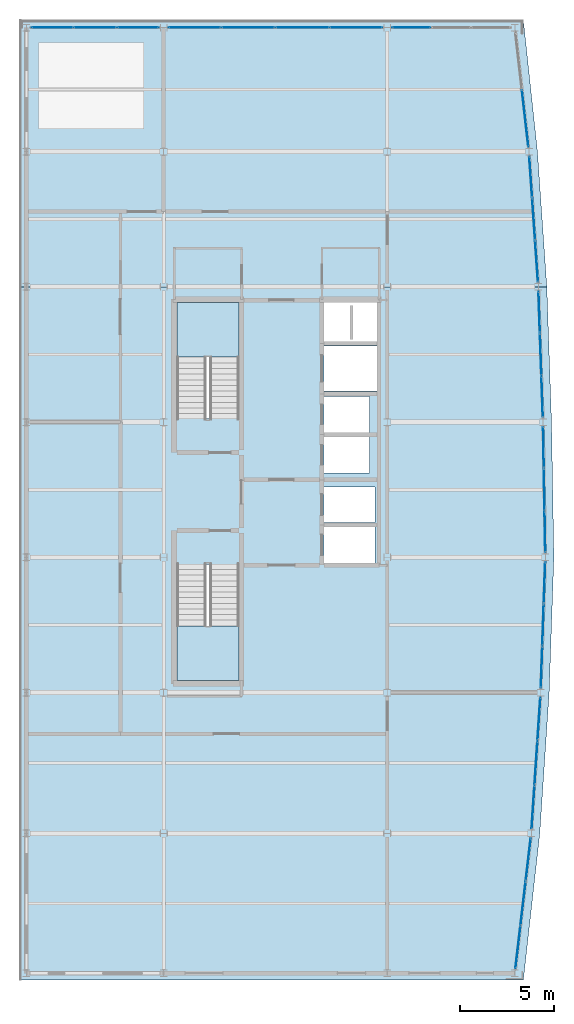
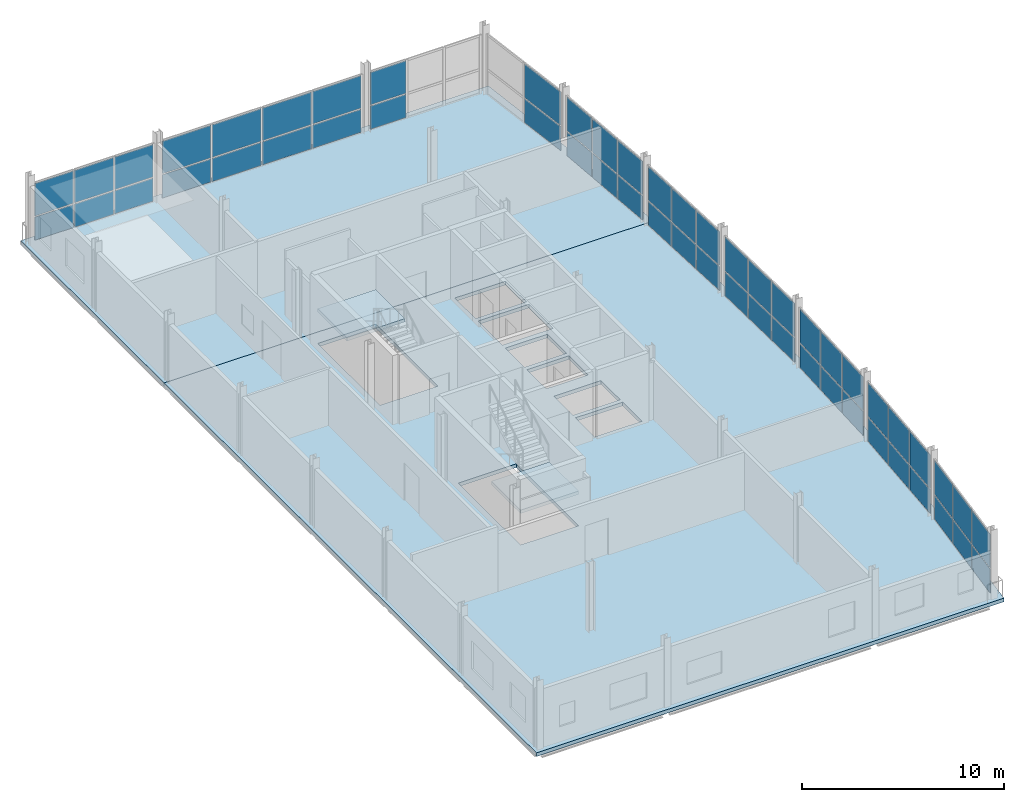
# One storey, part 14 of 20: 54 plates, 4 slabs, 12 elements without a shape of their own.
"""IFC4 building model written with IfcOpenShell, lengths in metres."""

from ifc_helpers import new_model, si_unit, direction, frame, origin, origin_2d, place, context, subcontext, project, spatial, polyline, rectangle, outline, extrude, material, layer, layer_set, type_object, element, aggregate, save


model = new_model("IFC4")

# Units and contexts
model_context = context("Model", 3, precision=1e-05, world=origin(), true_north=direction((0.0, 1.0)))
body_context = subcontext(model_context, "Body", "Model", "MODEL_VIEW")
ifc_project = project(units=[si_unit("LENGTHUNIT", "METRE"), si_unit("AREAUNIT", "SQUARE_METRE"), si_unit("VOLUMEUNIT", "CUBIC_METRE"), si_unit("PLANEANGLEUNIT", "RADIAN"), si_unit("MASSUNIT", "GRAM", prefix="KILO")], contexts=[model_context])

# Site, building, storey
site_placement = place(None, origin())
site = spatial("IfcSite", under=ifc_project, at=site_placement, CompositionType="ELEMENT")
building_placement = place(site_placement, origin())
building = spatial("IfcBuilding", under=site, at=building_placement, Name="Quillay Park Conservatory", CompositionType="ELEMENT")
storey_placement = place(building_placement, frame((0.0, 0.0, 30.89990234375)))
storey = spatial("IfcBuildingStorey", under=building, at=storey_placement, Name="L07", CompositionType="ELEMENT", Elevation=30.89990234375)

# Curtain wall, plates
ifc_material_1 = material(Name="Thermally Broken Anodised Aluminium 6063-T6", Category="aluminium")
ifc_layer_1 = layer(ifc_material_1, 0.199951171875)
ifc_layer_set_1 = layer_set([ifc_layer_1], Name="UNITISED CURTAIN WALL HERBARIUM (Thermally Broken Anodised Aluminium 6063-T6)")
curtain_wall_type = type_object("IfcCurtainWallType", Name="UNITISED CURTAIN WALL HERBARIUM", PredefinedType="USERDEFINED", material=ifc_layer_set_1)
curtain_wall_1_placement = place(storey_placement, origin())
curtain_wall_1 = element("IfcCurtainWall", 1, at=curtain_wall_1_placement, inside=storey, type_object=curtain_wall_type, Name="L07 Unitised Curtain Wall 068", ObjectType="UNITISED CURTAIN WALL", PredefinedType="USERDEFINED")
ifc_material_2 = material(Name="Low-E Double Glazing (Laminated Tempered)", Category="glass")
ifc_layer_2 = layer(ifc_material_2, 0.028076171875)
ifc_layer_set_2 = layer_set([ifc_layer_2], Name="CURTAIN WALL GLAZED PANEL 28 (Low-E Double Glazing (Laminated Tempered))")
plate_type = type_object("IfcPlateType", Name="CURTAIN WALL GLAZED PANEL 28", PredefinedType="CURTAIN_PANEL", material=ifc_layer_set_2)
plate_1_placement = place(storey_placement, frame((27.261474609375, 69.108642578125, 0.06982421875), z_axis=(0.0, 0.0, 1.0), x_axis=(-0.116654959918, -0.993172502804, 0.0)))
plate_1 = element("IfcPlate", 2, at=plate_1_placement, type_object=plate_type, Name="CW-T2 panel 1.1", PredefinedType="CURTAIN_PANEL", context=body_context, shape_type="SweptSolid", body=[
    extrude(rectangle(XDim=2.26220703125, YDim=0.028076171875, at=origin_2d()), origin(), (0.0, 0.0, 1.0), 1.443603515625),
])
plate_2_placement = place(storey_placement, frame((27.261474609375, 69.108642578125, 1.58349609375), z_axis=(0.0, 0.0, 1.0), x_axis=(-0.116654959918, -0.993172502804, 0.0)))
plate_2 = element("IfcPlate", 3, at=plate_2_placement, type_object=plate_type, Name="CW-T2 panel 1.2", PredefinedType="CURTAIN_PANEL", context=body_context, shape_type="SweptSolid", body=[
    extrude(rectangle(XDim=2.26220703125, YDim=0.028076171875, at=origin_2d()), origin(), (0.0, 0.0, 1.0), 2.033447265625),
])
plate_3_placement = place(storey_placement, frame((26.987548828125, 66.77490234375, 0.06982421875), z_axis=(0.0, 0.0, 1.0), x_axis=(-0.116654959918, -0.993172502804, 0.0)))
plate_3 = element("IfcPlate", 4, at=plate_3_placement, type_object=plate_type, Name="CW-T2 panel 2.1", PredefinedType="CURTAIN_PANEL", context=body_context, shape_type="SweptSolid", body=[
    extrude(rectangle(XDim=2.297119140625, YDim=0.028076171875, at=origin_2d()), origin(), (0.0, 0.0, 1.0), 1.443603515625),
])
plate_4_placement = place(storey_placement, frame((26.987548828125, 66.77490234375, 1.58349609375), z_axis=(0.0, 0.0, 1.0), x_axis=(-0.116654959918, -0.993172502804, 0.0)))
plate_4 = element("IfcPlate", 5, at=plate_4_placement, type_object=plate_type, Name="CW-T2 panel 2.2", PredefinedType="CURTAIN_PANEL", context=body_context, shape_type="SweptSolid", body=[
    extrude(rectangle(XDim=2.297119140625, YDim=0.028076171875, at=origin_2d()), origin(), (0.0, 0.0, 1.0), 2.033447265625),
])
plate_5_placement = place(storey_placement, frame((26.71337890625, 64.44140625, 0.06982421875), z_axis=(0.0, 0.0, 1.0), x_axis=(-0.116654959918, -0.993172502804, 0.0)))
plate_5 = element("IfcPlate", 6, at=plate_5_placement, type_object=plate_type, Name="CW-T2 panel 3.1", PredefinedType="CURTAIN_PANEL", context=body_context, shape_type="SweptSolid", body=[
    extrude(rectangle(XDim=2.26220703125, YDim=0.028076171875, at=origin_2d()), origin(), (0.0, 0.0, 1.0), 1.443603515625),
])
plate_6_placement = place(storey_placement, frame((26.71337890625, 64.44140625, 1.58349609375), z_axis=(0.0, 0.0, 1.0), x_axis=(-0.116654959918, -0.993172502804, 0.0)))
plate_6 = element("IfcPlate", 7, at=plate_6_placement, type_object=plate_type, Name="CW-T2 panel 3.2", PredefinedType="CURTAIN_PANEL", context=body_context, shape_type="SweptSolid", body=[
    extrude(rectangle(XDim=2.26220703125, YDim=0.028076171875, at=origin_2d()), origin(), (0.0, 0.0, 1.0), 2.033447265625),
])
aggregate(curtain_wall_1, [plate_1, plate_2, plate_3, plate_4, plate_5, plate_6])

curtain_wall_2_placement = place(storey_placement, origin())
curtain_wall_2 = element("IfcCurtainWall", 8, at=curtain_wall_2_placement, inside=storey, type_object=curtain_wall_type, Name="L07 Unitised Curtain Wall 069", ObjectType="UNITISED CURTAIN WALL", PredefinedType="USERDEFINED")
plate_7_placement = place(storey_placement, frame((27.83154296875, 76.599365234375, 0.06982421875), z_axis=(0.0, 0.0, 1.0), x_axis=(-0.0665208758, -0.997785033503, 0.0)))
plate_7 = element("IfcPlate", 9, at=plate_7_placement, type_object=plate_type, Name="CW-T2 panel 1.1", PredefinedType="CURTAIN_PANEL", context=body_context, shape_type="SweptSolid", body=[
    extrude(rectangle(XDim=2.26708984375, YDim=0.028076171875, at=origin_2d()), origin(), (0.0, 0.0, 1.0), 1.443603515625),
])
plate_8_placement = place(storey_placement, frame((27.83154296875, 76.599365234375, 1.58349609375), z_axis=(0.0, 0.0, 1.0), x_axis=(-0.0665208758, -0.997785033503, 0.0)))
plate_8 = element("IfcPlate", 10, at=plate_8_placement, type_object=plate_type, Name="CW-T2 panel 1.2", PredefinedType="CURTAIN_PANEL", context=body_context, shape_type="SweptSolid", body=[
    extrude(rectangle(XDim=2.26708984375, YDim=0.028076171875, at=origin_2d()), origin(), (0.0, 0.0, 1.0), 2.033447265625),
])
plate_9_placement = place(storey_placement, frame((27.675048828125, 74.25, 0.06982421875), z_axis=(0.0, 0.0, 1.0), x_axis=(-0.0665208758, -0.997785033503, 0.0)))
plate_9 = element("IfcPlate", 11, at=plate_9_placement, type_object=plate_type, Name="CW-T2 panel 2.1", PredefinedType="CURTAIN_PANEL", context=body_context, shape_type="SweptSolid", body=[
    extrude(rectangle(XDim=2.30224609375, YDim=0.028076171875, at=origin_2d()), origin(), (0.0, 0.0, 1.0), 1.443603515625),
])
plate_10_placement = place(storey_placement, frame((27.675048828125, 74.25, 1.58349609375), z_axis=(0.0, 0.0, 1.0), x_axis=(-0.0665208758, -0.997785033503, 0.0)))
plate_10 = element("IfcPlate", 12, at=plate_10_placement, type_object=plate_type, Name="CW-T2 panel 2.2", PredefinedType="CURTAIN_PANEL", context=body_context, shape_type="SweptSolid", body=[
    extrude(rectangle(XDim=2.30224609375, YDim=0.028076171875, at=origin_2d()), origin(), (0.0, 0.0, 1.0), 2.033447265625),
])
plate_11_placement = place(storey_placement, frame((27.518310546875, 71.900634765625, 0.06982421875), z_axis=(0.0, 0.0, 1.0), x_axis=(-0.0665208758, -0.997785033503, 0.0)))
plate_11 = element("IfcPlate", 13, at=plate_11_placement, type_object=plate_type, Name="CW-T2 panel 3.1", PredefinedType="CURTAIN_PANEL", context=body_context, shape_type="SweptSolid", body=[
    extrude(rectangle(XDim=2.26708984375, YDim=0.028076171875, at=origin_2d()), origin(), (0.0, 0.0, 1.0), 1.443603515625),
])
plate_12_placement = place(storey_placement, frame((27.518310546875, 71.900634765625, 1.58349609375), z_axis=(0.0, 0.0, 1.0), x_axis=(-0.0665208758, -0.997785033503, 0.0)))
plate_12 = element("IfcPlate", 14, at=plate_12_placement, type_object=plate_type, Name="CW-T2 panel 3.2", PredefinedType="CURTAIN_PANEL", context=body_context, shape_type="SweptSolid", body=[
    extrude(rectangle(XDim=2.26708984375, YDim=0.028076171875, at=origin_2d()), origin(), (0.0, 0.0, 1.0), 2.033447265625),
])
aggregate(curtain_wall_2, [plate_7, plate_8, plate_9, plate_10, plate_11, plate_12])

curtain_wall_3_placement = place(storey_placement, origin())
curtain_wall_3 = element("IfcCurtainWall", 15, at=curtain_wall_3_placement, inside=storey, type_object=curtain_wall_type, Name="L07 Unitised Curtain Wall 070", ObjectType="UNITISED CURTAIN WALL", PredefinedType="USERDEFINED")
plate_13_placement = place(storey_placement, frame((28.128173828125, 83.849365234375, 0.06982421875), z_axis=(0.0, 0.0, 1.0), x_axis=(-0.034713338537, -0.999397310446, 0.0)))
plate_13 = element("IfcPlate", 16, at=plate_13_placement, type_object=plate_type, Name="CW-T2 panel 1.1", PredefinedType="CURTAIN_PANEL", context=body_context, shape_type="SweptSolid", body=[
    extrude(rectangle(XDim=2.1630859375, YDim=0.028076171875, at=origin_2d()), origin(), (0.0, 0.0, 1.0), 1.443603515625),
])
plate_14_placement = place(storey_placement, frame((28.128173828125, 83.849365234375, 1.58349609375), z_axis=(0.0, 0.0, 1.0), x_axis=(-0.034713338537, -0.999397310446, 0.0)))
plate_14 = element("IfcPlate", 17, at=plate_14_placement, type_object=plate_type, Name="CW-T2 panel 1.2", PredefinedType="CURTAIN_PANEL", context=body_context, shape_type="SweptSolid", body=[
    extrude(rectangle(XDim=2.1630859375, YDim=0.028076171875, at=origin_2d()), origin(), (0.0, 0.0, 1.0), 2.033447265625),
])
plate_15_placement = place(storey_placement, frame((28.050048828125, 81.60009765625, 0.06982421875), z_axis=(0.0, 0.0, 1.0), x_axis=(-0.034713338537, -0.999397310446, 0.0)))
plate_15 = element("IfcPlate", 18, at=plate_15_placement, type_object=plate_type, Name="CW-T2 panel 2.1", PredefinedType="CURTAIN_PANEL", context=body_context, shape_type="SweptSolid", body=[
    extrude(rectangle(XDim=2.197998046875, YDim=0.028076171875, at=origin_2d()), origin(), (0.0, 0.0, 1.0), 1.443603515625),
])
plate_16_placement = place(storey_placement, frame((28.050048828125, 81.60009765625, 1.58349609375), z_axis=(0.0, 0.0, 1.0), x_axis=(-0.034713338537, -0.999397310446, 0.0)))
plate_16 = element("IfcPlate", 19, at=plate_16_placement, type_object=plate_type, Name="CW-T2 panel 2.2", PredefinedType="CURTAIN_PANEL", context=body_context, shape_type="SweptSolid", body=[
    extrude(rectangle(XDim=2.197998046875, YDim=0.028076171875, at=origin_2d()), origin(), (0.0, 0.0, 1.0), 2.033447265625),
])
plate_17_placement = place(storey_placement, frame((27.971923828125, 79.350830078125, 0.06982421875), z_axis=(0.0, 0.0, 1.0), x_axis=(-0.034713338537, -0.999397310446, 0.0)))
plate_17 = element("IfcPlate", 20, at=plate_17_placement, type_object=plate_type, Name="CW-T2 panel 3.1", PredefinedType="CURTAIN_PANEL", context=body_context, shape_type="SweptSolid", body=[
    extrude(rectangle(XDim=2.1630859375, YDim=0.028076171875, at=origin_2d()), origin(), (0.0, 0.0, 1.0), 1.443603515625),
])
plate_18_placement = place(storey_placement, frame((27.971923828125, 79.350830078125, 1.58349609375), z_axis=(0.0, 0.0, 1.0), x_axis=(-0.034713338537, -0.999397310446, 0.0)))
plate_18 = element("IfcPlate", 21, at=plate_18_placement, type_object=plate_type, Name="CW-T2 panel 3.2", PredefinedType="CURTAIN_PANEL", context=body_context, shape_type="SweptSolid", body=[
    extrude(rectangle(XDim=2.1630859375, YDim=0.028076171875, at=origin_2d()), origin(), (0.0, 0.0, 1.0), 2.033447265625),
])
aggregate(curtain_wall_3, [plate_13, plate_14, plate_15, plate_16, plate_17, plate_18])

curtain_wall_4_placement = place(storey_placement, origin())
curtain_wall_4 = element("IfcCurtainWall", 22, at=curtain_wall_4_placement, inside=storey, type_object=curtain_wall_type, Name="L07 Unitised Curtain Wall 071", ObjectType="UNITISED CURTAIN WALL", PredefinedType="USERDEFINED")
plate_19_placement = place(storey_placement, frame((28.073486328125, 91.049072265625, 0.06982421875), z_axis=(0.0, 0.0, 1.0), x_axis=(0.017350329071, -0.999849471711, 0.0)))
plate_19 = element("IfcPlate", 23, at=plate_19_placement, type_object=plate_type, Name="CW-T2 panel 1.1", PredefinedType="CURTAIN_PANEL", context=body_context, shape_type="SweptSolid", body=[
    extrude(rectangle(XDim=2.162109375, YDim=0.028076171875, at=origin_2d()), origin(), (0.0, 0.0, 1.0), 1.443603515625),
])
plate_20_placement = place(storey_placement, frame((28.073486328125, 91.049072265625, 1.58349609375), z_axis=(0.0, 0.0, 1.0), x_axis=(0.017350329071, -0.999849471711, 0.0)))
plate_20 = element("IfcPlate", 24, at=plate_20_placement, type_object=plate_type, Name="CW-T2 panel 1.2", PredefinedType="CURTAIN_PANEL", context=body_context, shape_type="SweptSolid", body=[
    extrude(rectangle(XDim=2.162109375, YDim=0.028076171875, at=origin_2d()), origin(), (0.0, 0.0, 1.0), 2.033447265625),
])
plate_21_placement = place(storey_placement, frame((28.112548828125, 88.800048828125, 0.06982421875), z_axis=(0.0, 0.0, 1.0), x_axis=(0.017350329071, -0.999849471711, 0.0)))
plate_21 = element("IfcPlate", 25, at=plate_21_placement, type_object=plate_type, Name="CW-T2 panel 2.1", PredefinedType="CURTAIN_PANEL", context=body_context, shape_type="SweptSolid", body=[
    extrude(rectangle(XDim=2.197021484375, YDim=0.028076171875, at=origin_2d()), origin(), (0.0, 0.0, 1.0), 1.443603515625),
])
plate_22_placement = place(storey_placement, frame((28.112548828125, 88.800048828125, 1.58349609375), z_axis=(0.0, 0.0, 1.0), x_axis=(0.017350329071, -0.999849471711, 0.0)))
plate_22 = element("IfcPlate", 26, at=plate_22_placement, type_object=plate_type, Name="CW-T2 panel 2.2", PredefinedType="CURTAIN_PANEL", context=body_context, shape_type="SweptSolid", body=[
    extrude(rectangle(XDim=2.197021484375, YDim=0.028076171875, at=origin_2d()), origin(), (0.0, 0.0, 1.0), 2.033447265625),
])
plate_23_placement = place(storey_placement, frame((28.151611328125, 86.55078125, 0.06982421875), z_axis=(0.0, 0.0, 1.0), x_axis=(0.017350329071, -0.999849471711, 0.0)))
plate_23 = element("IfcPlate", 27, at=plate_23_placement, type_object=plate_type, Name="CW-T2 panel 3.1", PredefinedType="CURTAIN_PANEL", context=body_context, shape_type="SweptSolid", body=[
    extrude(rectangle(XDim=2.162109375, YDim=0.028076171875, at=origin_2d()), origin(), (0.0, 0.0, 1.0), 1.443603515625),
])
plate_24_placement = place(storey_placement, frame((28.151611328125, 86.55078125, 1.58349609375), z_axis=(0.0, 0.0, 1.0), x_axis=(0.017350329071, -0.999849471711, 0.0)))
plate_24 = element("IfcPlate", 28, at=plate_24_placement, type_object=plate_type, Name="CW-T2 panel 3.2", PredefinedType="CURTAIN_PANEL", context=body_context, shape_type="SweptSolid", body=[
    extrude(rectangle(XDim=2.162109375, YDim=0.028076171875, at=origin_2d()), origin(), (0.0, 0.0, 1.0), 2.033447265625),
])
aggregate(curtain_wall_4, [plate_19, plate_20, plate_21, plate_22, plate_23, plate_24])

curtain_wall_5_placement = place(storey_placement, origin())
curtain_wall_5 = element("IfcCurtainWall", 29, at=curtain_wall_5_placement, inside=storey, type_object=curtain_wall_type, Name="L07 Unitised Curtain Wall 072", ObjectType="UNITISED CURTAIN WALL", PredefinedType="USERDEFINED")
plate_25_placement = place(storey_placement, frame((27.846923828125, 98.249267578125, 0.06982421875), z_axis=(0.0, 0.0, 1.0), x_axis=(0.034713338537, -0.999397310446, 0.0)))
plate_25 = element("IfcPlate", 30, at=plate_25_placement, type_object=plate_type, Name="CW-T2 panel 1.1", PredefinedType="CURTAIN_PANEL", context=body_context, shape_type="SweptSolid", body=[
    extrude(rectangle(XDim=2.1630859375, YDim=0.028076171875, at=origin_2d()), origin(), (0.0, 0.0, 1.0), 1.443603515625),
])
plate_26_placement = place(storey_placement, frame((27.846923828125, 98.249267578125, 1.58349609375), z_axis=(0.0, 0.0, 1.0), x_axis=(0.034713338537, -0.999397310446, 0.0)))
plate_26 = element("IfcPlate", 31, at=plate_26_placement, type_object=plate_type, Name="CW-T2 panel 1.2", PredefinedType="CURTAIN_PANEL", context=body_context, shape_type="SweptSolid", body=[
    extrude(rectangle(XDim=2.1630859375, YDim=0.028076171875, at=origin_2d()), origin(), (0.0, 0.0, 1.0), 2.033447265625),
])
plate_27_placement = place(storey_placement, frame((27.925048828125, 96.0, 0.06982421875), z_axis=(0.0, 0.0, 1.0), x_axis=(0.034713338537, -0.999397310446, 0.0)))
plate_27 = element("IfcPlate", 32, at=plate_27_placement, type_object=plate_type, Name="CW-T2 panel 2.1", PredefinedType="CURTAIN_PANEL", context=body_context, shape_type="SweptSolid", body=[
    extrude(rectangle(XDim=2.197998046875, YDim=0.028076171875, at=origin_2d()), origin(), (0.0, 0.0, 1.0), 1.443603515625),
])
plate_28_placement = place(storey_placement, frame((27.925048828125, 96.0, 1.58349609375), z_axis=(0.0, 0.0, 1.0), x_axis=(0.034713338537, -0.999397310446, 0.0)))
plate_28 = element("IfcPlate", 33, at=plate_28_placement, type_object=plate_type, Name="CW-T2 panel 2.2", PredefinedType="CURTAIN_PANEL", context=body_context, shape_type="SweptSolid", body=[
    extrude(rectangle(XDim=2.197998046875, YDim=0.028076171875, at=origin_2d()), origin(), (0.0, 0.0, 1.0), 2.033447265625),
])
plate_29_placement = place(storey_placement, frame((28.003173828125, 93.750732421875, 0.06982421875), z_axis=(0.0, 0.0, 1.0), x_axis=(0.034713338537, -0.999397310446, 0.0)))
plate_29 = element("IfcPlate", 34, at=plate_29_placement, type_object=plate_type, Name="CW-T2 panel 3.1", PredefinedType="CURTAIN_PANEL", context=body_context, shape_type="SweptSolid", body=[
    extrude(rectangle(XDim=2.1630859375, YDim=0.028076171875, at=origin_2d()), origin(), (0.0, 0.0, 1.0), 1.443603515625),
])
plate_30_placement = place(storey_placement, frame((28.003173828125, 93.750732421875, 1.58349609375), z_axis=(0.0, 0.0, 1.0), x_axis=(0.034713338537, -0.999397310446, 0.0)))
plate_30 = element("IfcPlate", 35, at=plate_30_placement, type_object=plate_type, Name="CW-T2 panel 3.2", PredefinedType="CURTAIN_PANEL", context=body_context, shape_type="SweptSolid", body=[
    extrude(rectangle(XDim=2.1630859375, YDim=0.028076171875, at=origin_2d()), origin(), (0.0, 0.0, 1.0), 2.033447265625),
])
aggregate(curtain_wall_5, [plate_25, plate_26, plate_27, plate_28, plate_29, plate_30])

curtain_wall_6_placement = place(storey_placement, origin())
curtain_wall_6 = element("IfcCurtainWall", 36, at=curtain_wall_6_placement, inside=storey, type_object=curtain_wall_type, Name="L07 Unitised Curtain Wall 073", ObjectType="UNITISED CURTAIN WALL", PredefinedType="USERDEFINED")
plate_31_placement = place(storey_placement, frame((27.393798828125, 105.449462890625, 0.06982421875), z_axis=(0.0, 0.0, 1.0), x_axis=(0.069264217159, -0.99759835015, 0.0)))
plate_31 = element("IfcPlate", 37, at=plate_31_placement, type_object=plate_type, Name="CW-T2 panel 1.1", PredefinedType="CURTAIN_PANEL", context=body_context, shape_type="SweptSolid", body=[
    extrude(rectangle(XDim=2.16748046875, YDim=0.028076171875, at=origin_2d()), origin(), (0.0, 0.0, 1.0), 1.443603515625),
])
plate_32_placement = place(storey_placement, frame((27.393798828125, 105.449462890625, 1.58349609375), z_axis=(0.0, 0.0, 1.0), x_axis=(0.069264217159, -0.99759835015, 0.0)))
plate_32 = element("IfcPlate", 38, at=plate_32_placement, type_object=plate_type, Name="CW-T2 panel 1.2", PredefinedType="CURTAIN_PANEL", context=body_context, shape_type="SweptSolid", body=[
    extrude(rectangle(XDim=2.16748046875, YDim=0.028076171875, at=origin_2d()), origin(), (0.0, 0.0, 1.0), 2.033447265625),
])
plate_33_placement = place(storey_placement, frame((27.550048828125, 103.199951171875, 0.06982421875), z_axis=(0.0, 0.0, 1.0), x_axis=(0.069264217159, -0.99759835015, 0.0)))
plate_33 = element("IfcPlate", 39, at=plate_33_placement, type_object=plate_type, Name="CW-T2 panel 2.1", PredefinedType="CURTAIN_PANEL", context=body_context, shape_type="SweptSolid", body=[
    extrude(rectangle(XDim=2.202392578125, YDim=0.028076171875, at=origin_2d()), origin(), (0.0, 0.0, 1.0), 1.443603515625),
])
plate_34_placement = place(storey_placement, frame((27.550048828125, 103.199951171875, 1.58349609375), z_axis=(0.0, 0.0, 1.0), x_axis=(0.069264217159, -0.99759835015, 0.0)))
plate_34 = element("IfcPlate", 40, at=plate_34_placement, type_object=plate_type, Name="CW-T2 panel 2.2", PredefinedType="CURTAIN_PANEL", context=body_context, shape_type="SweptSolid", body=[
    extrude(rectangle(XDim=2.202392578125, YDim=0.028076171875, at=origin_2d()), origin(), (0.0, 0.0, 1.0), 2.033447265625),
])
plate_35_placement = place(storey_placement, frame((27.706298828125, 100.950439453125, 0.06982421875), z_axis=(0.0, 0.0, 1.0), x_axis=(0.069264217159, -0.99759835015, 0.0)))
plate_35 = element("IfcPlate", 41, at=plate_35_placement, type_object=plate_type, Name="CW-T2 panel 3.1", PredefinedType="CURTAIN_PANEL", context=body_context, shape_type="SweptSolid", body=[
    extrude(rectangle(XDim=2.16748046875, YDim=0.028076171875, at=origin_2d()), origin(), (0.0, 0.0, 1.0), 1.443603515625),
])
plate_36_placement = place(storey_placement, frame((27.706298828125, 100.950439453125, 1.58349609375), z_axis=(0.0, 0.0, 1.0), x_axis=(0.069264217159, -0.99759835015, 0.0)))
plate_36 = element("IfcPlate", 42, at=plate_36_placement, type_object=plate_type, Name="CW-T2 panel 3.2", PredefinedType="CURTAIN_PANEL", context=body_context, shape_type="SweptSolid", body=[
    extrude(rectangle(XDim=2.16748046875, YDim=0.028076171875, at=origin_2d()), origin(), (0.0, 0.0, 1.0), 2.033447265625),
])
aggregate(curtain_wall_6, [plate_31, plate_32, plate_33, plate_34, plate_35, plate_36])

curtain_wall_7_placement = place(storey_placement, origin())
curtain_wall_7 = element("IfcCurtainWall", 43, at=curtain_wall_7_placement, inside=storey, type_object=curtain_wall_type, Name="L07 Unitised Curtain Wall 074", ObjectType="UNITISED CURTAIN WALL", PredefinedType="USERDEFINED")
plate_37_placement = place(storey_placement, frame((27.09912109375, 108.566650390625, 0.06982421875), z_axis=(0.0, 0.0, 1.0), x_axis=(0.112903218278, -0.993605989969, 0.0)))
plate_37 = element("IfcPlate", 44, at=plate_37_placement, type_object=plate_type, Name="CW-T2 panel 2.1", PredefinedType="CURTAIN_PANEL", context=body_context, shape_type="SweptSolid", body=[
    extrude(rectangle(XDim=3.016357421875, YDim=0.028076171875, at=origin_2d()), origin(), (0.0, 0.0, 1.0), 1.443603515625),
])
plate_38_placement = place(storey_placement, frame((27.09912109375, 108.566650390625, 1.58349609375), z_axis=(0.0, 0.0, 1.0), x_axis=(0.112903218278, -0.993605989969, 0.0)))
plate_38 = element("IfcPlate", 45, at=plate_38_placement, type_object=plate_type, Name="CW-T2 panel 2.2", PredefinedType="CURTAIN_PANEL", context=body_context, shape_type="SweptSolid", body=[
    extrude(rectangle(XDim=3.016357421875, YDim=0.028076171875, at=origin_2d()), origin(), (0.0, 0.0, 1.0), 2.033447265625),
])
aggregate(curtain_wall_7, [plate_37, plate_38])

curtain_wall_8_placement = place(storey_placement, origin())
curtain_wall_8 = element("IfcCurtainWall", 46, at=curtain_wall_8_placement, inside=storey, type_object=curtain_wall_type, Name="L07 Unitised Curtain Wall 075", ObjectType="UNITISED CURTAIN WALL", PredefinedType="USERDEFINED")
plate_39_placement = place(storey_placement, frame((1.91748046875, 113.39990234375, 0.070068359375), z_axis=(0.0, 0.0, 1.0), x_axis=(1.0, 0.0, 0.0)))
plate_39 = element("IfcPlate", 47, at=plate_39_placement, type_object=plate_type, Name="CW-T2 panel 1.1", PredefinedType="CURTAIN_PANEL", context=body_context, shape_type="SweptSolid", body=[
    extrude(rectangle(XDim=2.195068359375, YDim=0.028076171875, at=origin_2d()), origin(), (0.0, 0.0, 1.0), 1.39599609375),
])
plate_40_placement = place(storey_placement, frame((1.91748046875, 113.39990234375, 1.5361328125), z_axis=(0.0, 0.0, 1.0), x_axis=(1.0, 0.0, 0.0)))
plate_40 = element("IfcPlate", 48, at=plate_40_placement, type_object=plate_type, Name="CW-T2 panel 1.2", PredefinedType="CURTAIN_PANEL", context=body_context, shape_type="SweptSolid", body=[
    extrude(rectangle(XDim=2.195068359375, YDim=0.028076171875, at=origin_2d()), origin(), (0.0, 0.0, 1.0), 1.968017578125),
])
plate_41_placement = place(storey_placement, frame((4.199951171875, 113.39990234375, 0.070068359375), z_axis=(0.0, 0.0, 1.0), x_axis=(1.0, 0.0, 0.0)))
plate_41 = element("IfcPlate", 49, at=plate_41_placement, type_object=plate_type, Name="CW-T2 panel 2.1", PredefinedType="CURTAIN_PANEL", context=body_context, shape_type="SweptSolid", body=[
    extrude(rectangle(XDim=2.22998046875, YDim=0.028076171875, at=origin_2d()), origin(), (0.0, 0.0, 1.0), 1.39599609375),
])
plate_42_placement = place(storey_placement, frame((4.199951171875, 113.39990234375, 1.5361328125), z_axis=(0.0, 0.0, 1.0), x_axis=(1.0, 0.0, 0.0)))
plate_42 = element("IfcPlate", 50, at=plate_42_placement, type_object=plate_type, Name="CW-T2 panel 2.2", PredefinedType="CURTAIN_PANEL", context=body_context, shape_type="SweptSolid", body=[
    extrude(rectangle(XDim=2.22998046875, YDim=0.028076171875, at=origin_2d()), origin(), (0.0, 0.0, 1.0), 1.968017578125),
])
plate_43_placement = place(storey_placement, frame((6.482421875, 113.39990234375, 0.070068359375), z_axis=(0.0, 0.0, 1.0), x_axis=(1.0, 0.0, 0.0)))
plate_43 = element("IfcPlate", 51, at=plate_43_placement, type_object=plate_type, Name="CW-T2 panel 3.1", PredefinedType="CURTAIN_PANEL", context=body_context, shape_type="SweptSolid", body=[
    extrude(rectangle(XDim=2.195068359375, YDim=0.028076171875, at=origin_2d()), origin(), (0.0, 0.0, 1.0), 1.39599609375),
])
plate_44_placement = place(storey_placement, frame((6.482421875, 113.39990234375, 1.5361328125), z_axis=(0.0, 0.0, 1.0), x_axis=(1.0, 0.0, 0.0)))
plate_44 = element("IfcPlate", 52, at=plate_44_placement, type_object=plate_type, Name="CW-T2 panel 3.2", PredefinedType="CURTAIN_PANEL", context=body_context, shape_type="SweptSolid", body=[
    extrude(rectangle(XDim=2.195068359375, YDim=0.028076171875, at=origin_2d()), origin(), (0.0, 0.0, 1.0), 1.968017578125),
])
aggregate(curtain_wall_8, [plate_39, plate_40, plate_41, plate_42, plate_43, plate_44])

curtain_wall_9_placement = place(storey_placement, origin())
curtain_wall_9 = element("IfcCurtainWall", 53, at=curtain_wall_9_placement, inside=storey, type_object=curtain_wall_type, Name="L07 Unitised Curtain Wall 076", ObjectType="UNITISED CURTAIN WALL", PredefinedType="USERDEFINED")
plate_45_placement = place(storey_placement, frame((9.5048828125, 113.39990234375, 0.070068359375), z_axis=(0.0, 0.0, 1.0), x_axis=(1.0, 0.0, 0.0)))
plate_45 = element("IfcPlate", 54, at=plate_45_placement, type_object=plate_type, Name="CW-T2 panel 1.1", PredefinedType="CURTAIN_PANEL", context=body_context, shape_type="SweptSolid", body=[
    extrude(rectangle(XDim=2.77001953125, YDim=0.028076171875, at=origin_2d()), origin(), (0.0, 0.0, 1.0), 1.39599609375),
])
plate_46_placement = place(storey_placement, frame((9.5048828125, 113.39990234375, 1.5361328125), z_axis=(0.0, 0.0, 1.0), x_axis=(1.0, 0.0, 0.0)))
plate_46 = element("IfcPlate", 55, at=plate_46_placement, type_object=plate_type, Name="CW-T2 panel 1.2", PredefinedType="CURTAIN_PANEL", context=body_context, shape_type="SweptSolid", body=[
    extrude(rectangle(XDim=2.77001953125, YDim=0.028076171875, at=origin_2d()), origin(), (0.0, 0.0, 1.0), 1.968017578125),
])
plate_47_placement = place(storey_placement, frame((12.362548828125, 113.39990234375, 0.070068359375), z_axis=(0.0, 0.0, 1.0), x_axis=(1.0, 0.0, 0.0)))
plate_47 = element("IfcPlate", 56, at=plate_47_placement, type_object=plate_type, Name="CW-T2 panel 2.1", PredefinedType="CURTAIN_PANEL", context=body_context, shape_type="SweptSolid", body=[
    extrude(rectangle(XDim=2.804931640625, YDim=0.028076171875, at=origin_2d()), origin(), (0.0, 0.0, 1.0), 1.39599609375),
])
plate_48_placement = place(storey_placement, frame((12.362548828125, 113.39990234375, 1.5361328125), z_axis=(0.0, 0.0, 1.0), x_axis=(1.0, 0.0, 0.0)))
plate_48 = element("IfcPlate", 57, at=plate_48_placement, type_object=plate_type, Name="CW-T2 panel 2.2", PredefinedType="CURTAIN_PANEL", context=body_context, shape_type="SweptSolid", body=[
    extrude(rectangle(XDim=2.804931640625, YDim=0.028076171875, at=origin_2d()), origin(), (0.0, 0.0, 1.0), 1.968017578125),
])
plate_49_placement = place(storey_placement, frame((15.237548828125, 113.39990234375, 0.070068359375), z_axis=(0.0, 0.0, 1.0), x_axis=(1.0, 0.0, 0.0)))
plate_49 = element("IfcPlate", 58, at=plate_49_placement, type_object=plate_type, Name="CW-T2 panel 3.1", PredefinedType="CURTAIN_PANEL", context=body_context, shape_type="SweptSolid", body=[
    extrude(rectangle(XDim=2.804931640625, YDim=0.028076171875, at=origin_2d()), origin(), (0.0, 0.0, 1.0), 1.39599609375),
])
plate_50_placement = place(storey_placement, frame((15.237548828125, 113.39990234375, 1.5361328125), z_axis=(0.0, 0.0, 1.0), x_axis=(1.0, 0.0, 0.0)))
plate_50 = element("IfcPlate", 59, at=plate_50_placement, type_object=plate_type, Name="CW-T2 panel 3.2", PredefinedType="CURTAIN_PANEL", context=body_context, shape_type="SweptSolid", body=[
    extrude(rectangle(XDim=2.804931640625, YDim=0.028076171875, at=origin_2d()), origin(), (0.0, 0.0, 1.0), 1.968017578125),
])
plate_51_placement = place(storey_placement, frame((18.094970703125, 113.39990234375, 0.070068359375), z_axis=(0.0, 0.0, 1.0), x_axis=(1.0, 0.0, 0.0)))
plate_51 = element("IfcPlate", 60, at=plate_51_placement, type_object=plate_type, Name="CW-T2 panel 4.1", PredefinedType="CURTAIN_PANEL", context=body_context, shape_type="SweptSolid", body=[
    extrude(rectangle(XDim=2.77001953125, YDim=0.028076171875, at=origin_2d()), origin(), (0.0, 0.0, 1.0), 1.39599609375),
])
plate_52_placement = place(storey_placement, frame((18.094970703125, 113.39990234375, 1.5361328125), z_axis=(0.0, 0.0, 1.0), x_axis=(1.0, 0.0, 0.0)))
plate_52 = element("IfcPlate", 61, at=plate_52_placement, type_object=plate_type, Name="CW-T2 panel 4.2", PredefinedType="CURTAIN_PANEL", context=body_context, shape_type="SweptSolid", body=[
    extrude(rectangle(XDim=2.77001953125, YDim=0.028076171875, at=origin_2d()), origin(), (0.0, 0.0, 1.0), 1.968017578125),
])
aggregate(curtain_wall_9, [plate_45, plate_46, plate_47, plate_48, plate_49, plate_50, plate_51, plate_52])

curtain_wall_10_placement = place(storey_placement, origin())
curtain_wall_10 = element("IfcCurtainWall", 62, at=curtain_wall_10_placement, inside=storey, type_object=curtain_wall_type, Name="L07 Unitised Curtain Wall 077", ObjectType="UNITISED CURTAIN WALL", PredefinedType="USERDEFINED")
plate_53_placement = place(storey_placement, frame((21.0341796875, 113.39990234375, 0.070068359375), z_axis=(0.0, 0.0, 1.0), x_axis=(1.0, 0.0, 0.0)))
plate_53 = element("IfcPlate", 63, at=plate_53_placement, type_object=plate_type, Name="CW-T2 panel 1.1", PredefinedType="CURTAIN_PANEL", context=body_context, shape_type="SweptSolid", body=[
    extrude(rectangle(XDim=2.0283203125, YDim=0.028076171875, at=origin_2d()), origin(), (0.0, 0.0, 1.0), 1.39599609375),
])
plate_54_placement = place(storey_placement, frame((21.0341796875, 113.39990234375, 1.5361328125), z_axis=(0.0, 0.0, 1.0), x_axis=(1.0, 0.0, 0.0)))
plate_54 = element("IfcPlate", 64, at=plate_54_placement, type_object=plate_type, Name="CW-T2 panel 1.2", PredefinedType="CURTAIN_PANEL", context=body_context, shape_type="SweptSolid", body=[
    extrude(rectangle(XDim=2.0283203125, YDim=0.028076171875, at=origin_2d()), origin(), (0.0, 0.0, 1.0), 1.968017578125),
])
aggregate(curtain_wall_10, [plate_53, plate_54])

# Stair, slab
ifc_material_3 = material(Name="Concrete C35/45 (NCh170 Concrete C35/45)", Category="concrete")
stair_type = type_object("IfcStairType", Name="ENCLOSED DOG LEG STAIR 4200", PredefinedType="HALF_TURN_STAIR", material=ifc_material_3)
stair_1_placement = place(storey_placement, origin())
stair_1 = element("IfcStair", 65, at=stair_1_placement, inside=storey, type_object=stair_type, Name="L07 Tower Protected Exit Stair 1", PredefinedType="HALF_TURN_STAIR")
ifc_material_4 = material(Name="Concrete C35/45 (NCh170 Concrete C35/45)", Category="concrete")
ifc_layer_3 = layer(ifc_material_4, 0.199951171875)
ifc_layer_set_3 = layer_set([ifc_layer_3], Name="STAIR LANDING SLAB 200 (Concrete C35/45 (NCh170 Concrete C35/45))")
slab_type_1 = type_object("IfcSlabType", Name="STAIR LANDING SLAB 200", PredefinedType="LANDING", material=ifc_layer_set_3)
slab_1_placement = place(storey_placement, frame((0.0, 0.0, 1.900146484375)))
slab_1 = element("IfcSlab", 66, at=slab_1_placement, type_object=slab_type_1, Name="ST-T1 landing 1", PredefinedType="LANDING", context=body_context, shape_type="SweptSolid", body=[
    extrude(outline(polyline([(11.8701171875, 95.85009765625), (11.8701171875, 98.75), (8.550048828125, 98.75), (8.550048828125, 95.85009765625), (11.8701171875, 95.85009765625)])), origin(), (0.0, 0.0, 1.0), 0.199951171875),
])
aggregate(stair_1, [slab_1])

stair_2_placement = place(storey_placement, origin())
stair_2 = element("IfcStair", 67, at=stair_2_placement, inside=storey, type_object=stair_type, Name="L07 Tower Protected Exit Stair 2", PredefinedType="HALF_TURN_STAIR")
slab_2_placement = place(storey_placement, frame((0.0, 0.0, 1.900146484375)))
slab_2 = element("IfcSlab", 68, at=slab_2_placement, type_object=slab_type_1, Name="ST-T2 landing 1", PredefinedType="LANDING", context=body_context, shape_type="SweptSolid", body=[
    extrude(outline(polyline([(8.550048828125, 81.550048828125), (8.550048828125, 78.64990234375), (11.8701171875, 78.64990234375), (11.8701171875, 81.550048828125), (8.550048828125, 81.550048828125)])), origin(), (0.0, 0.0, 1.0), 0.199951171875),
])
aggregate(stair_2, [slab_2])

# Slabs
ifc_material_5 = material(Name="Concrete C35/45 (NCh170 Concrete C35/45)", Category="concrete")
ifc_layer_4 = layer(ifc_material_5, 0.219970703125)
ifc_layer_set_4 = layer_set([ifc_layer_4], Name="SUSPENDED FLOOR SLAB 220 (Concrete C35/45 (NCh170 Concrete C35/45))")
slab_type_2 = type_object("IfcSlabType", Name="SUSPENDED FLOOR SLAB 220", PredefinedType="FLOOR", material=ifc_layer_set_4)
slab_3_placement = place(storey_placement, frame((0.0, 0.0, -0.219970703125)))
element("IfcSlab", 69, at=slab_3_placement, inside=storey, type_object=slab_type_2, Name="L07 Research Tower South Chord Plate", PredefinedType="FLOOR", context=body_context, shape_type="SweptSolid", body=[
    extrude(outline(polyline([(0.25, 62.699951171875), (27.0, 62.699951171875), (27.875, 70.5), (28.375, 78.0), (28.625, 85.199951171875), (28.5, 92.39990234375), (28.25, 99.60009765625), (0.25, 99.60009765625), (0.25, 62.699951171875)]), holes=[polyline([(8.550048828125, 92.580078125), (11.8701171875, 92.580078125), (11.8701171875, 98.75), (8.550048828125, 98.75), (8.550048828125, 92.580078125)]), polyline([(8.550048828125, 78.64990234375), (11.8701171875, 78.64990234375), (11.8701171875, 84.820068359375), (8.550048828125, 84.820068359375), (8.550048828125, 78.64990234375)]), polyline([(16.39990234375, 84.89990234375), (19.10009765625, 84.89990234375), (19.10009765625, 86.800048828125), (16.39990234375, 86.800048828125), (16.39990234375, 84.89990234375)]), polyline([(16.39990234375, 87.050048828125), (19.10009765625, 87.050048828125), (19.10009765625, 88.949951171875), (16.39990234375, 88.949951171875), (16.39990234375, 87.050048828125)]), polyline([(16.39990234375, 89.699951171875), (18.800048828125, 89.699951171875), (18.800048828125, 91.60009765625), (16.39990234375, 91.60009765625), (16.39990234375, 89.699951171875)]), polyline([(16.39990234375, 91.85009765625), (18.800048828125, 91.85009765625), (18.800048828125, 93.75), (16.39990234375, 93.75), (16.39990234375, 91.85009765625)]), polyline([(16.39990234375, 94.050048828125), (19.300048828125, 94.050048828125), (19.300048828125, 96.449951171875), (16.39990234375, 96.449951171875), (16.39990234375, 94.050048828125)]), polyline([(16.39990234375, 96.699951171875), (19.300048828125, 96.699951171875), (19.300048828125, 98.75), (16.39990234375, 98.75), (16.39990234375, 96.699951171875)])]), origin(), (0.0, 0.0, 1.0), 0.219970703125),
])
slab_4_placement = place(storey_placement, frame((0.0, 0.0, -0.219970703125)))
element("IfcSlab", 70, at=slab_4_placement, inside=storey, type_object=slab_type_2, Name="L07 Research Tower North Chord Plate", PredefinedType="FLOOR", context=body_context, shape_type="SweptSolid", body=[
    extrude(outline(polyline([(0.25, 99.60009765625), (28.25, 99.60009765625), (27.75, 106.800048828125), (27.0, 113.800048828125), (0.25, 113.800048828125), (0.25, 99.60009765625)])), origin(), (0.0, 0.0, 1.0), 0.219970703125),
])

save(model, "model.ifc")
